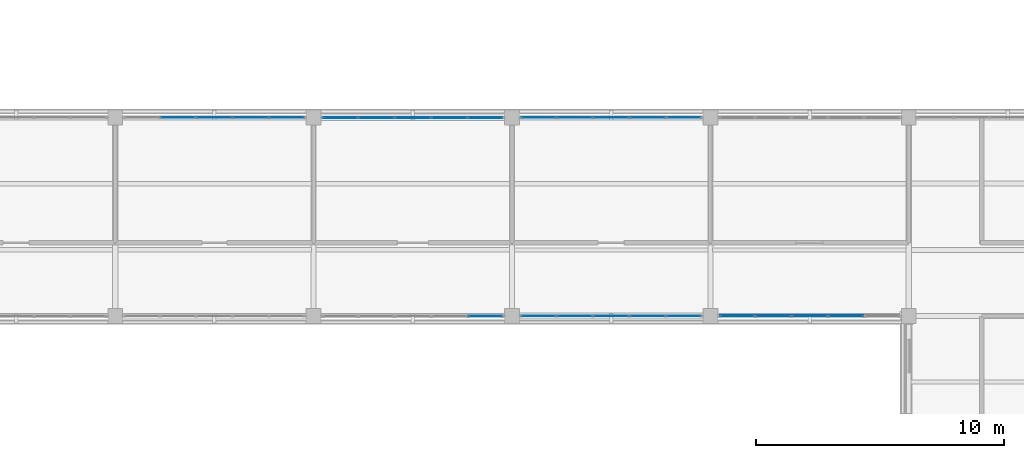
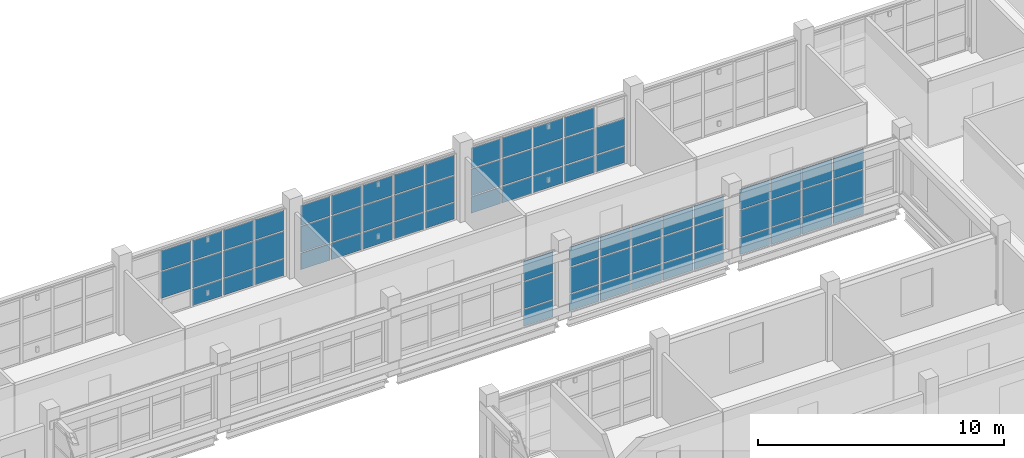
# One storey, part 79 of 126: 70 plates, 6 elements without a shape of their own.
"""IFC4 building model written with IfcOpenShell, lengths in metres."""

from ifc_helpers import new_model, si_unit, derived_unit, direction, frame, origin, origin_2d, place, context, subcontext, project, spatial, rectangle, extrude, material, layer, layer_set, type_object, element, aggregate, save


model = new_model("IFC4")

# Units and contexts
model_context = context("Model", 3, precision=1e-05, world=origin(), true_north=direction((0.0, 1.0)))
body_context = subcontext(model_context, "Body", "Model", "MODEL_VIEW")
ifc_project = project(units=[si_unit("LENGTHUNIT", "METRE"), si_unit("AREAUNIT", "SQUARE_METRE"), si_unit("VOLUMEUNIT", "CUBIC_METRE"), si_unit("PLANEANGLEUNIT", "RADIAN"), si_unit("MASSUNIT", "GRAM", prefix="KILO"), derived_unit("THERMALTRANSMITTANCEUNIT", [(si_unit("MASSUNIT", "GRAM", prefix="KILO"), 1), (si_unit("TIMEUNIT", "SECOND"), -3), (si_unit("THERMODYNAMICTEMPERATUREUNIT", "KELVIN"), -1)])], contexts=[model_context])

# Site, building, storey
site_placement = place(None, origin())
site = spatial("IfcSite", under=ifc_project, at=site_placement, CompositionType="ELEMENT")
building_placement = place(site_placement, origin())
building = spatial("IfcBuilding", under=site, at=building_placement, Name="Veyamyaing Civic Hall", CompositionType="ELEMENT")
storey_placement = place(building_placement, frame((0.0, 0.0, 9.89990234375)))
storey = spatial("IfcBuildingStorey", under=building, at=storey_placement, Name="L02", CompositionType="ELEMENT", Elevation=9.89990234375)

# Curtain wall, plates
ifc_material_1 = material(Name="Anodised aluminium 6063-T6", Category="aluminium")
ifc_layer_1 = layer(ifc_material_1, 0.139892578125, Name="Anodised aluminium 6063-T6")
ifc_layer_set_1 = layer_set([ifc_layer_1], Name="Anodised aluminium 6063-T6")
curtain_wall_type = type_object("IfcCurtainWallType", Name="CW-04", PredefinedType="NOTDEFINED", material=ifc_layer_set_1)
curtain_wall_1_placement = place(storey_placement, origin())
curtain_wall_1 = element("IfcCurtainWall", 1, at=curtain_wall_1_placement, inside=storey, type_object=curtain_wall_type, Name="Unitized curtain wall CW-04 L02 N 17.7", PredefinedType="NOTDEFINED")
ifc_material_2 = material(Name="Low-E insulated glass", Category="glass")
ifc_layer_2 = layer(ifc_material_2, 0.031982421875, Name="Low-E insulated glass")
ifc_layer_set_2 = layer_set([ifc_layer_2], Name="Low-E insulated glass")
plate_type_1 = type_object("IfcPlateType", Name="CWP-02", PredefinedType="CURTAIN_PANEL", material=ifc_layer_set_2)
plate_1_placement = place(storey_placement, frame((130.531982421875, 56.0, 0.93017578125), z_axis=(0.0, 0.0, 1.0), x_axis=(1.0, 0.0, 0.0)))
plate_1 = element("IfcPlate", 2, at=plate_1_placement, type_object=plate_type_1, Name="CW-04 panel 2.2", PredefinedType="CURTAIN_PANEL", context=body_context, shape_type="SweptSolid", body=[
    extrude(rectangle(XDim=1.407958984375, YDim=0.031982421875, at=origin_2d()), origin(), (0.0, 0.0, 1.0), 1.31396484375),
])
plate_2_placement = place(storey_placement, frame((130.531982421875, 56.0, 2.303955078125), z_axis=(0.0, 0.0, 1.0), x_axis=(1.0, 0.0, 0.0)))
plate_2 = element("IfcPlate", 3, at=plate_2_placement, type_object=plate_type_1, Name="CW-04 panel 2.3", PredefinedType="CURTAIN_PANEL", context=body_context, shape_type="SweptSolid", body=[
    extrude(rectangle(XDim=1.407958984375, YDim=0.031982421875, at=origin_2d()), origin(), (0.0, 0.0, 1.0), 0.97998046875),
])
plate_3_placement = place(storey_placement, frame((132.0, 56.0, 0.06005859375), z_axis=(0.0, 0.0, 1.0), x_axis=(1.0, 0.0, 0.0)))
plate_3 = element("IfcPlate", 4, at=plate_3_placement, type_object=plate_type_1, Name="CW-04 panel 3.1", PredefinedType="CURTAIN_PANEL", context=body_context, shape_type="SweptSolid", body=[
    extrude(rectangle(XDim=1.407958984375, YDim=0.031982421875, at=origin_2d()), origin(), (0.0, 0.0, 1.0), 0.81005859375),
])
plate_4_placement = place(storey_placement, frame((132.0, 56.0, 0.93017578125), z_axis=(0.0, 0.0, 1.0), x_axis=(1.0, 0.0, 0.0)))
plate_4 = element("IfcPlate", 5, at=plate_4_placement, type_object=plate_type_1, Name="CW-04 panel 3.2", PredefinedType="CURTAIN_PANEL", context=body_context, shape_type="SweptSolid", body=[
    extrude(rectangle(XDim=1.407958984375, YDim=0.031982421875, at=origin_2d()), origin(), (0.0, 0.0, 1.0), 1.31396484375),
])
plate_5_placement = place(storey_placement, frame((132.0, 56.0, 2.303955078125), z_axis=(0.0, 0.0, 1.0), x_axis=(1.0, 0.0, 0.0)))
plate_5 = element("IfcPlate", 6, at=plate_5_placement, type_object=plate_type_1, Name="CW-04 panel 3.3", PredefinedType="CURTAIN_PANEL", context=body_context, shape_type="SweptSolid", body=[
    extrude(rectangle(XDim=1.407958984375, YDim=0.031982421875, at=origin_2d()), origin(), (0.0, 0.0, 1.0), 0.97998046875),
])
plate_6_placement = place(storey_placement, frame((133.468017578125, 56.0, 0.06005859375), z_axis=(0.0, 0.0, 1.0), x_axis=(1.0, 0.0, 0.0)))
plate_6 = element("IfcPlate", 7, at=plate_6_placement, type_object=plate_type_1, Name="CW-04 panel 4.1", PredefinedType="CURTAIN_PANEL", context=body_context, shape_type="SweptSolid", body=[
    extrude(rectangle(XDim=1.407958984375, YDim=0.031982421875, at=origin_2d()), origin(), (0.0, 0.0, 1.0), 0.81005859375),
])
plate_7_placement = place(storey_placement, frame((133.468017578125, 56.0, 0.93017578125), z_axis=(0.0, 0.0, 1.0), x_axis=(1.0, 0.0, 0.0)))
plate_7 = element("IfcPlate", 8, at=plate_7_placement, type_object=plate_type_1, Name="CW-04 panel 4.2", PredefinedType="CURTAIN_PANEL", context=body_context, shape_type="SweptSolid", body=[
    extrude(rectangle(XDim=1.407958984375, YDim=0.031982421875, at=origin_2d()), origin(), (0.0, 0.0, 1.0), 1.31396484375),
])
plate_8_placement = place(storey_placement, frame((133.468017578125, 56.0, 2.303955078125), z_axis=(0.0, 0.0, 1.0), x_axis=(1.0, 0.0, 0.0)))
plate_8 = element("IfcPlate", 9, at=plate_8_placement, type_object=plate_type_1, Name="CW-04 panel 4.3", PredefinedType="CURTAIN_PANEL", context=body_context, shape_type="SweptSolid", body=[
    extrude(rectangle(XDim=1.407958984375, YDim=0.031982421875, at=origin_2d()), origin(), (0.0, 0.0, 1.0), 0.97998046875),
])
plate_9_placement = place(storey_placement, frame((134.9208984375, 56.0, 0.06005859375), z_axis=(0.0, 0.0, 1.0), x_axis=(1.0, 0.0, 0.0)))
plate_9 = element("IfcPlate", 10, at=plate_9_placement, type_object=plate_type_1, Name="CW-04 panel 5.1", PredefinedType="CURTAIN_PANEL", context=body_context, shape_type="SweptSolid", body=[
    extrude(rectangle(XDim=1.3779296875, YDim=0.031982421875, at=origin_2d()), origin(), (0.0, 0.0, 1.0), 0.81005859375),
])
plate_10_placement = place(storey_placement, frame((134.9208984375, 56.0, 0.93017578125), z_axis=(0.0, 0.0, 1.0), x_axis=(1.0, 0.0, 0.0)))
plate_10 = element("IfcPlate", 11, at=plate_10_placement, type_object=plate_type_1, Name="CW-04 panel 5.2", PredefinedType="CURTAIN_PANEL", context=body_context, shape_type="SweptSolid", body=[
    extrude(rectangle(XDim=1.3779296875, YDim=0.031982421875, at=origin_2d()), origin(), (0.0, 0.0, 1.0), 1.31396484375),
])
plate_11_placement = place(storey_placement, frame((134.9208984375, 56.0, 2.303955078125), z_axis=(0.0, 0.0, 1.0), x_axis=(1.0, 0.0, 0.0)))
plate_11 = element("IfcPlate", 12, at=plate_11_placement, type_object=plate_type_1, Name="CW-04 panel 5.3", PredefinedType="CURTAIN_PANEL", context=body_context, shape_type="SweptSolid", body=[
    extrude(rectangle(XDim=1.3779296875, YDim=0.031982421875, at=origin_2d()), origin(), (0.0, 0.0, 1.0), 0.97998046875),
])
aggregate(curtain_wall_1, [plate_1, plate_2, plate_3, plate_4, plate_5, plate_6, plate_7, plate_8, plate_9, plate_10, plate_11])

curtain_wall_2_placement = place(storey_placement, origin())
curtain_wall_2 = element("IfcCurtainWall", 13, at=curtain_wall_2_placement, inside=storey, type_object=curtain_wall_type, Name="Unitized curtain wall CW-04 L02 S 18.7", PredefinedType="NOTDEFINED")
ifc_layer_3 = layer(ifc_material_2, 0.035888671875, Name="Low-E insulated glass")
ifc_layer_set_3 = layer_set([ifc_layer_3], Name="Low-E insulated glass")
plate_type_2 = type_object("IfcPlateType", Name="CWP-03", PredefinedType="CURTAIN_PANEL", material=ifc_layer_set_3)
plate_12_placement = place(storey_placement, frame((142.9208984375, 48.0, 0.06005859375), z_axis=(0.0, 0.0, 1.0), x_axis=(1.0, 0.0, 0.0)))
plate_12 = element("IfcPlate", 14, at=plate_12_placement, type_object=plate_type_2, Name="CW-04 panel 5.1", PredefinedType="CURTAIN_PANEL", context=body_context, shape_type="SweptSolid", body=[
    extrude(rectangle(XDim=1.3779296875, YDim=0.035888671875, at=origin_2d()), origin(), (0.0, 0.0, 1.0), 0.81005859375),
])
plate_13_placement = place(storey_placement, frame((142.9208984375, 48.0, 0.93017578125), z_axis=(0.0, 0.0, 1.0), x_axis=(1.0, 0.0, 0.0)))
plate_13 = element("IfcPlate", 15, at=plate_13_placement, type_object=plate_type_2, Name="CW-04 panel 5.2", PredefinedType="CURTAIN_PANEL", context=body_context, shape_type="SweptSolid", body=[
    extrude(rectangle(XDim=1.3779296875, YDim=0.035888671875, at=origin_2d()), origin(), (0.0, 0.0, 1.0), 1.31396484375),
])
plate_14_placement = place(storey_placement, frame((142.9208984375, 48.0, 2.303955078125), z_axis=(0.0, 0.0, 1.0), x_axis=(1.0, 0.0, 0.0)))
plate_14 = element("IfcPlate", 16, at=plate_14_placement, type_object=plate_type_2, Name="CW-04 panel 5.3", PredefinedType="CURTAIN_PANEL", context=body_context, shape_type="SweptSolid", body=[
    extrude(rectangle(XDim=1.3779296875, YDim=0.035888671875, at=origin_2d()), origin(), (0.0, 0.0, 1.0), 0.97998046875),
])
aggregate(curtain_wall_2, [plate_12, plate_13, plate_14])

curtain_wall_3_placement = place(storey_placement, origin())
curtain_wall_3 = element("IfcCurtainWall", 17, at=curtain_wall_3_placement, inside=storey, type_object=curtain_wall_type, Name="Unitized curtain wall CW-04 L02 N 18.7", PredefinedType="NOTDEFINED")
plate_15_placement = place(storey_placement, frame((137.0791015625, 56.0, 0.06005859375), z_axis=(0.0, 0.0, 1.0), x_axis=(1.0, 0.0, 0.0)))
plate_15 = element("IfcPlate", 18, at=plate_15_placement, type_object=plate_type_2, Name="CW-04 panel 1.1", PredefinedType="CURTAIN_PANEL", context=body_context, shape_type="SweptSolid", body=[
    extrude(rectangle(XDim=1.3779296875, YDim=0.035888671875, at=origin_2d()), origin(), (0.0, 0.0, 1.0), 0.81005859375),
])
plate_16_placement = place(storey_placement, frame((137.0791015625, 56.0, 0.93017578125), z_axis=(0.0, 0.0, 1.0), x_axis=(1.0, 0.0, 0.0)))
plate_16 = element("IfcPlate", 19, at=plate_16_placement, type_object=plate_type_2, Name="CW-04 panel 1.2", PredefinedType="CURTAIN_PANEL", context=body_context, shape_type="SweptSolid", body=[
    extrude(rectangle(XDim=1.3779296875, YDim=0.035888671875, at=origin_2d()), origin(), (0.0, 0.0, 1.0), 1.273193359375),
])
plate_17_placement = place(storey_placement, frame((137.0791015625, 56.0, 2.26318359375), z_axis=(0.0, 0.0, 1.0), x_axis=(1.0, 0.0, 0.0)))
plate_17 = element("IfcPlate", 20, at=plate_17_placement, type_object=plate_type_2, Name="CW-04 panel 1.3", PredefinedType="CURTAIN_PANEL", context=body_context, shape_type="SweptSolid", body=[
    extrude(rectangle(XDim=1.3779296875, YDim=0.035888671875, at=origin_2d()), origin(), (0.0, 0.0, 1.0), 0.9609375),
])
plate_18_placement = place(storey_placement, frame((138.531982421875, 56.0, 0.06005859375), z_axis=(0.0, 0.0, 1.0), x_axis=(1.0, 0.0, 0.0)))
plate_18 = element("IfcPlate", 21, at=plate_18_placement, type_object=plate_type_2, Name="CW-04 panel 2.1", PredefinedType="CURTAIN_PANEL", context=body_context, shape_type="SweptSolid", body=[
    extrude(rectangle(XDim=1.407958984375, YDim=0.035888671875, at=origin_2d()), origin(), (0.0, 0.0, 1.0), 0.81005859375),
])
plate_19_placement = place(storey_placement, frame((138.531982421875, 56.0, 0.93017578125), z_axis=(0.0, 0.0, 1.0), x_axis=(1.0, 0.0, 0.0)))
plate_19 = element("IfcPlate", 22, at=plate_19_placement, type_object=plate_type_2, Name="CW-04 panel 2.2", PredefinedType="CURTAIN_PANEL", context=body_context, shape_type="SweptSolid", body=[
    extrude(rectangle(XDim=1.407958984375, YDim=0.035888671875, at=origin_2d()), origin(), (0.0, 0.0, 1.0), 1.273193359375),
])
plate_20_placement = place(storey_placement, frame((138.531982421875, 56.0, 2.26318359375), z_axis=(0.0, 0.0, 1.0), x_axis=(1.0, 0.0, 0.0)))
plate_20 = element("IfcPlate", 23, at=plate_20_placement, type_object=plate_type_2, Name="CW-04 panel 2.3", PredefinedType="CURTAIN_PANEL", context=body_context, shape_type="SweptSolid", body=[
    extrude(rectangle(XDim=1.407958984375, YDim=0.035888671875, at=origin_2d()), origin(), (0.0, 0.0, 1.0), 0.9609375),
])
plate_21_placement = place(storey_placement, frame((140.0, 56.0, 0.06005859375), z_axis=(0.0, 0.0, 1.0), x_axis=(1.0, 0.0, 0.0)))
plate_21 = element("IfcPlate", 24, at=plate_21_placement, type_object=plate_type_2, Name="CW-04 panel 3.1", PredefinedType="CURTAIN_PANEL", context=body_context, shape_type="SweptSolid", body=[
    extrude(rectangle(XDim=1.407958984375, YDim=0.035888671875, at=origin_2d()), origin(), (0.0, 0.0, 1.0), 0.81005859375),
])
plate_22_placement = place(storey_placement, frame((140.0, 56.0, 0.93017578125), z_axis=(0.0, 0.0, 1.0), x_axis=(1.0, 0.0, 0.0)))
plate_22 = element("IfcPlate", 25, at=plate_22_placement, type_object=plate_type_2, Name="CW-04 panel 3.2", PredefinedType="CURTAIN_PANEL", context=body_context, shape_type="SweptSolid", body=[
    extrude(rectangle(XDim=1.407958984375, YDim=0.035888671875, at=origin_2d()), origin(), (0.0, 0.0, 1.0), 1.273193359375),
])
plate_23_placement = place(storey_placement, frame((140.0, 56.0, 2.26318359375), z_axis=(0.0, 0.0, 1.0), x_axis=(1.0, 0.0, 0.0)))
plate_23 = element("IfcPlate", 26, at=plate_23_placement, type_object=plate_type_2, Name="CW-04 panel 3.3", PredefinedType="CURTAIN_PANEL", context=body_context, shape_type="SweptSolid", body=[
    extrude(rectangle(XDim=1.407958984375, YDim=0.035888671875, at=origin_2d()), origin(), (0.0, 0.0, 1.0), 0.9609375),
])
plate_24_placement = place(storey_placement, frame((141.468017578125, 56.0, 0.06005859375), z_axis=(0.0, 0.0, 1.0), x_axis=(1.0, 0.0, 0.0)))
plate_24 = element("IfcPlate", 27, at=plate_24_placement, type_object=plate_type_2, Name="CW-04 panel 4.1", PredefinedType="CURTAIN_PANEL", context=body_context, shape_type="SweptSolid", body=[
    extrude(rectangle(XDim=1.407958984375, YDim=0.035888671875, at=origin_2d()), origin(), (0.0, 0.0, 1.0), 0.81005859375),
])
plate_25_placement = place(storey_placement, frame((141.468017578125, 56.0, 0.93017578125), z_axis=(0.0, 0.0, 1.0), x_axis=(1.0, 0.0, 0.0)))
plate_25 = element("IfcPlate", 28, at=plate_25_placement, type_object=plate_type_2, Name="CW-04 panel 4.2", PredefinedType="CURTAIN_PANEL", context=body_context, shape_type="SweptSolid", body=[
    extrude(rectangle(XDim=1.407958984375, YDim=0.035888671875, at=origin_2d()), origin(), (0.0, 0.0, 1.0), 1.273193359375),
])
plate_26_placement = place(storey_placement, frame((141.468017578125, 56.0, 2.26318359375), z_axis=(0.0, 0.0, 1.0), x_axis=(1.0, 0.0, 0.0)))
plate_26 = element("IfcPlate", 29, at=plate_26_placement, type_object=plate_type_2, Name="CW-04 panel 4.3", PredefinedType="CURTAIN_PANEL", context=body_context, shape_type="SweptSolid", body=[
    extrude(rectangle(XDim=1.407958984375, YDim=0.035888671875, at=origin_2d()), origin(), (0.0, 0.0, 1.0), 0.9609375),
])
plate_27_placement = place(storey_placement, frame((142.9208984375, 56.0, 0.06005859375), z_axis=(0.0, 0.0, 1.0), x_axis=(1.0, 0.0, 0.0)))
plate_27 = element("IfcPlate", 30, at=plate_27_placement, type_object=plate_type_2, Name="CW-04 panel 5.1", PredefinedType="CURTAIN_PANEL", context=body_context, shape_type="SweptSolid", body=[
    extrude(rectangle(XDim=1.3779296875, YDim=0.035888671875, at=origin_2d()), origin(), (0.0, 0.0, 1.0), 0.81005859375),
])
plate_28_placement = place(storey_placement, frame((142.9208984375, 56.0, 0.93017578125), z_axis=(0.0, 0.0, 1.0), x_axis=(1.0, 0.0, 0.0)))
plate_28 = element("IfcPlate", 31, at=plate_28_placement, type_object=plate_type_2, Name="CW-04 panel 5.2", PredefinedType="CURTAIN_PANEL", context=body_context, shape_type="SweptSolid", body=[
    extrude(rectangle(XDim=1.3779296875, YDim=0.035888671875, at=origin_2d()), origin(), (0.0, 0.0, 1.0), 1.273193359375),
])
plate_29_placement = place(storey_placement, frame((142.9208984375, 56.0, 2.26318359375), z_axis=(0.0, 0.0, 1.0), x_axis=(1.0, 0.0, 0.0)))
plate_29 = element("IfcPlate", 32, at=plate_29_placement, type_object=plate_type_2, Name="CW-04 panel 5.3", PredefinedType="CURTAIN_PANEL", context=body_context, shape_type="SweptSolid", body=[
    extrude(rectangle(XDim=1.3779296875, YDim=0.035888671875, at=origin_2d()), origin(), (0.0, 0.0, 1.0), 0.9609375),
])
aggregate(curtain_wall_3, [plate_15, plate_16, plate_17, plate_18, plate_19, plate_20, plate_21, plate_22, plate_23, plate_24, plate_25, plate_26, plate_27, plate_28, plate_29])

curtain_wall_4_placement = place(storey_placement, origin())
curtain_wall_4 = element("IfcCurtainWall", 33, at=curtain_wall_4_placement, inside=storey, type_object=curtain_wall_type, Name="Unitized curtain wall CW-04 L02 S 19.7", PredefinedType="NOTDEFINED")
ifc_layer_4 = layer(ifc_material_2, 0.02392578125, Name="Low-E insulated glass")
ifc_layer_set_4 = layer_set([ifc_layer_4], Name="Low-E insulated glass")
plate_type_3 = type_object("IfcPlateType", Name="CWP-04", PredefinedType="CURTAIN_PANEL", material=ifc_layer_set_4)
plate_30_placement = place(storey_placement, frame((145.0791015625, 48.0, 0.06005859375), z_axis=(0.0, 0.0, 1.0), x_axis=(1.0, 0.0, 0.0)))
plate_30 = element("IfcPlate", 34, at=plate_30_placement, type_object=plate_type_3, Name="CW-04 panel 1.1", PredefinedType="CURTAIN_PANEL", context=body_context, shape_type="SweptSolid", body=[
    extrude(rectangle(XDim=1.3779296875, YDim=0.02392578125, at=origin_2d()), origin(), (0.0, 0.0, 1.0), 0.81005859375),
])
plate_31_placement = place(storey_placement, frame((145.0791015625, 48.0, 0.93017578125), z_axis=(0.0, 0.0, 1.0), x_axis=(1.0, 0.0, 0.0)))
plate_31 = element("IfcPlate", 35, at=plate_31_placement, type_object=plate_type_3, Name="CW-04 panel 1.2", PredefinedType="CURTAIN_PANEL", context=body_context, shape_type="SweptSolid", body=[
    extrude(rectangle(XDim=1.3779296875, YDim=0.02392578125, at=origin_2d()), origin(), (0.0, 0.0, 1.0), 1.273193359375),
])
plate_32_placement = place(storey_placement, frame((145.0791015625, 48.0, 2.26318359375), z_axis=(0.0, 0.0, 1.0), x_axis=(1.0, 0.0, 0.0)))
plate_32 = element("IfcPlate", 36, at=plate_32_placement, type_object=plate_type_3, Name="CW-04 panel 1.3", PredefinedType="CURTAIN_PANEL", context=body_context, shape_type="SweptSolid", body=[
    extrude(rectangle(XDim=1.3779296875, YDim=0.02392578125, at=origin_2d()), origin(), (0.0, 0.0, 1.0), 0.9609375),
])
plate_33_placement = place(storey_placement, frame((146.531982421875, 48.0, 0.06005859375), z_axis=(0.0, 0.0, 1.0), x_axis=(1.0, 0.0, 0.0)))
plate_33 = element("IfcPlate", 37, at=plate_33_placement, type_object=plate_type_3, Name="CW-04 panel 2.1", PredefinedType="CURTAIN_PANEL", context=body_context, shape_type="SweptSolid", body=[
    extrude(rectangle(XDim=1.407958984375, YDim=0.02392578125, at=origin_2d()), origin(), (0.0, 0.0, 1.0), 0.81005859375),
])
plate_34_placement = place(storey_placement, frame((146.531982421875, 48.0, 0.93017578125), z_axis=(0.0, 0.0, 1.0), x_axis=(1.0, 0.0, 0.0)))
plate_34 = element("IfcPlate", 38, at=plate_34_placement, type_object=plate_type_3, Name="CW-04 panel 2.2", PredefinedType="CURTAIN_PANEL", context=body_context, shape_type="SweptSolid", body=[
    extrude(rectangle(XDim=1.407958984375, YDim=0.02392578125, at=origin_2d()), origin(), (0.0, 0.0, 1.0), 1.273193359375),
])
plate_35_placement = place(storey_placement, frame((146.531982421875, 48.0, 2.26318359375), z_axis=(0.0, 0.0, 1.0), x_axis=(1.0, 0.0, 0.0)))
plate_35 = element("IfcPlate", 39, at=plate_35_placement, type_object=plate_type_3, Name="CW-04 panel 2.3", PredefinedType="CURTAIN_PANEL", context=body_context, shape_type="SweptSolid", body=[
    extrude(rectangle(XDim=1.407958984375, YDim=0.02392578125, at=origin_2d()), origin(), (0.0, 0.0, 1.0), 0.9609375),
])
plate_36_placement = place(storey_placement, frame((148.0, 48.0, 0.06005859375), z_axis=(0.0, 0.0, 1.0), x_axis=(1.0, 0.0, 0.0)))
plate_36 = element("IfcPlate", 40, at=plate_36_placement, type_object=plate_type_3, Name="CW-04 panel 3.1", PredefinedType="CURTAIN_PANEL", context=body_context, shape_type="SweptSolid", body=[
    extrude(rectangle(XDim=1.407958984375, YDim=0.02392578125, at=origin_2d()), origin(), (0.0, 0.0, 1.0), 0.81005859375),
])
plate_37_placement = place(storey_placement, frame((148.0, 48.0, 0.93017578125), z_axis=(0.0, 0.0, 1.0), x_axis=(1.0, 0.0, 0.0)))
plate_37 = element("IfcPlate", 41, at=plate_37_placement, type_object=plate_type_3, Name="CW-04 panel 3.2", PredefinedType="CURTAIN_PANEL", context=body_context, shape_type="SweptSolid", body=[
    extrude(rectangle(XDim=1.407958984375, YDim=0.02392578125, at=origin_2d()), origin(), (0.0, 0.0, 1.0), 1.273193359375),
])
plate_38_placement = place(storey_placement, frame((148.0, 48.0, 2.26318359375), z_axis=(0.0, 0.0, 1.0), x_axis=(1.0, 0.0, 0.0)))
plate_38 = element("IfcPlate", 42, at=plate_38_placement, type_object=plate_type_3, Name="CW-04 panel 3.3", PredefinedType="CURTAIN_PANEL", context=body_context, shape_type="SweptSolid", body=[
    extrude(rectangle(XDim=1.407958984375, YDim=0.02392578125, at=origin_2d()), origin(), (0.0, 0.0, 1.0), 0.9609375),
])
plate_39_placement = place(storey_placement, frame((149.468017578125, 48.0, 0.06005859375), z_axis=(0.0, 0.0, 1.0), x_axis=(1.0, 0.0, 0.0)))
plate_39 = element("IfcPlate", 43, at=plate_39_placement, type_object=plate_type_3, Name="CW-04 panel 4.1", PredefinedType="CURTAIN_PANEL", context=body_context, shape_type="SweptSolid", body=[
    extrude(rectangle(XDim=1.407958984375, YDim=0.02392578125, at=origin_2d()), origin(), (0.0, 0.0, 1.0), 0.81005859375),
])
plate_40_placement = place(storey_placement, frame((149.468017578125, 48.0, 0.93017578125), z_axis=(0.0, 0.0, 1.0), x_axis=(1.0, 0.0, 0.0)))
plate_40 = element("IfcPlate", 44, at=plate_40_placement, type_object=plate_type_3, Name="CW-04 panel 4.2", PredefinedType="CURTAIN_PANEL", context=body_context, shape_type="SweptSolid", body=[
    extrude(rectangle(XDim=1.407958984375, YDim=0.02392578125, at=origin_2d()), origin(), (0.0, 0.0, 1.0), 1.273193359375),
])
plate_41_placement = place(storey_placement, frame((149.468017578125, 48.0, 2.26318359375), z_axis=(0.0, 0.0, 1.0), x_axis=(1.0, 0.0, 0.0)))
plate_41 = element("IfcPlate", 45, at=plate_41_placement, type_object=plate_type_3, Name="CW-04 panel 4.3", PredefinedType="CURTAIN_PANEL", context=body_context, shape_type="SweptSolid", body=[
    extrude(rectangle(XDim=1.407958984375, YDim=0.02392578125, at=origin_2d()), origin(), (0.0, 0.0, 1.0), 0.9609375),
])
plate_42_placement = place(storey_placement, frame((150.9208984375, 48.0, 0.06005859375), z_axis=(0.0, 0.0, 1.0), x_axis=(1.0, 0.0, 0.0)))
plate_42 = element("IfcPlate", 46, at=plate_42_placement, type_object=plate_type_3, Name="CW-04 panel 5.1", PredefinedType="CURTAIN_PANEL", context=body_context, shape_type="SweptSolid", body=[
    extrude(rectangle(XDim=1.3779296875, YDim=0.02392578125, at=origin_2d()), origin(), (0.0, 0.0, 1.0), 0.81005859375),
])
plate_43_placement = place(storey_placement, frame((150.9208984375, 48.0, 0.93017578125), z_axis=(0.0, 0.0, 1.0), x_axis=(1.0, 0.0, 0.0)))
plate_43 = element("IfcPlate", 47, at=plate_43_placement, type_object=plate_type_3, Name="CW-04 panel 5.2", PredefinedType="CURTAIN_PANEL", context=body_context, shape_type="SweptSolid", body=[
    extrude(rectangle(XDim=1.3779296875, YDim=0.02392578125, at=origin_2d()), origin(), (0.0, 0.0, 1.0), 1.273193359375),
])
plate_44_placement = place(storey_placement, frame((150.9208984375, 48.0, 2.26318359375), z_axis=(0.0, 0.0, 1.0), x_axis=(1.0, 0.0, 0.0)))
plate_44 = element("IfcPlate", 48, at=plate_44_placement, type_object=plate_type_3, Name="CW-04 panel 5.3", PredefinedType="CURTAIN_PANEL", context=body_context, shape_type="SweptSolid", body=[
    extrude(rectangle(XDim=1.3779296875, YDim=0.02392578125, at=origin_2d()), origin(), (0.0, 0.0, 1.0), 0.9609375),
])
aggregate(curtain_wall_4, [plate_30, plate_31, plate_32, plate_33, plate_34, plate_35, plate_36, plate_37, plate_38, plate_39, plate_40, plate_41, plate_42, plate_43, plate_44])

curtain_wall_5_placement = place(storey_placement, origin())
curtain_wall_5 = element("IfcCurtainWall", 49, at=curtain_wall_5_placement, inside=storey, type_object=curtain_wall_type, Name="Unitized curtain wall CW-04 L02 N 19.7", PredefinedType="NOTDEFINED")
plate_45_placement = place(storey_placement, frame((145.0791015625, 56.0, 0.06005859375), z_axis=(0.0, 0.0, 1.0), x_axis=(1.0, 0.0, 0.0)))
plate_45 = element("IfcPlate", 50, at=plate_45_placement, type_object=plate_type_3, Name="CW-04 panel 1.1", PredefinedType="CURTAIN_PANEL", context=body_context, shape_type="SweptSolid", body=[
    extrude(rectangle(XDim=1.3779296875, YDim=0.02392578125, at=origin_2d()), origin(), (0.0, 0.0, 1.0), 0.81005859375),
])
plate_46_placement = place(storey_placement, frame((145.0791015625, 56.0, 0.93017578125), z_axis=(0.0, 0.0, 1.0), x_axis=(1.0, 0.0, 0.0)))
plate_46 = element("IfcPlate", 51, at=plate_46_placement, type_object=plate_type_3, Name="CW-04 panel 1.2", PredefinedType="CURTAIN_PANEL", context=body_context, shape_type="SweptSolid", body=[
    extrude(rectangle(XDim=1.3779296875, YDim=0.02392578125, at=origin_2d()), origin(), (0.0, 0.0, 1.0), 1.31591796875),
])
plate_47_placement = place(storey_placement, frame((145.0791015625, 56.0, 2.30615234375), z_axis=(0.0, 0.0, 1.0), x_axis=(1.0, 0.0, 0.0)))
plate_47 = element("IfcPlate", 52, at=plate_47_placement, type_object=plate_type_3, Name="CW-04 panel 1.3", PredefinedType="CURTAIN_PANEL", context=body_context, shape_type="SweptSolid", body=[
    extrude(rectangle(XDim=1.3779296875, YDim=0.02392578125, at=origin_2d()), origin(), (0.0, 0.0, 1.0), 0.98095703125),
])
plate_48_placement = place(storey_placement, frame((146.531982421875, 56.0, 0.06005859375), z_axis=(0.0, 0.0, 1.0), x_axis=(1.0, 0.0, 0.0)))
plate_48 = element("IfcPlate", 53, at=plate_48_placement, type_object=plate_type_3, Name="CW-04 panel 2.1", PredefinedType="CURTAIN_PANEL", context=body_context, shape_type="SweptSolid", body=[
    extrude(rectangle(XDim=1.407958984375, YDim=0.02392578125, at=origin_2d()), origin(), (0.0, 0.0, 1.0), 0.81005859375),
])
plate_49_placement = place(storey_placement, frame((146.531982421875, 56.0, 0.93017578125), z_axis=(0.0, 0.0, 1.0), x_axis=(1.0, 0.0, 0.0)))
plate_49 = element("IfcPlate", 54, at=plate_49_placement, type_object=plate_type_3, Name="CW-04 panel 2.2", PredefinedType="CURTAIN_PANEL", context=body_context, shape_type="SweptSolid", body=[
    extrude(rectangle(XDim=1.407958984375, YDim=0.02392578125, at=origin_2d()), origin(), (0.0, 0.0, 1.0), 1.31591796875),
])
plate_50_placement = place(storey_placement, frame((146.531982421875, 56.0, 2.30615234375), z_axis=(0.0, 0.0, 1.0), x_axis=(1.0, 0.0, 0.0)))
plate_50 = element("IfcPlate", 55, at=plate_50_placement, type_object=plate_type_3, Name="CW-04 panel 2.3", PredefinedType="CURTAIN_PANEL", context=body_context, shape_type="SweptSolid", body=[
    extrude(rectangle(XDim=1.407958984375, YDim=0.02392578125, at=origin_2d()), origin(), (0.0, 0.0, 1.0), 0.98095703125),
])
plate_51_placement = place(storey_placement, frame((148.0, 56.0, 0.06005859375), z_axis=(0.0, 0.0, 1.0), x_axis=(1.0, 0.0, 0.0)))
plate_51 = element("IfcPlate", 56, at=plate_51_placement, type_object=plate_type_3, Name="CW-04 panel 3.1", PredefinedType="CURTAIN_PANEL", context=body_context, shape_type="SweptSolid", body=[
    extrude(rectangle(XDim=1.407958984375, YDim=0.02392578125, at=origin_2d()), origin(), (0.0, 0.0, 1.0), 0.81005859375),
])
plate_52_placement = place(storey_placement, frame((148.0, 56.0, 0.93017578125), z_axis=(0.0, 0.0, 1.0), x_axis=(1.0, 0.0, 0.0)))
plate_52 = element("IfcPlate", 57, at=plate_52_placement, type_object=plate_type_3, Name="CW-04 panel 3.2", PredefinedType="CURTAIN_PANEL", context=body_context, shape_type="SweptSolid", body=[
    extrude(rectangle(XDim=1.407958984375, YDim=0.02392578125, at=origin_2d()), origin(), (0.0, 0.0, 1.0), 1.31591796875),
])
plate_53_placement = place(storey_placement, frame((148.0, 56.0, 2.30615234375), z_axis=(0.0, 0.0, 1.0), x_axis=(1.0, 0.0, 0.0)))
plate_53 = element("IfcPlate", 58, at=plate_53_placement, type_object=plate_type_3, Name="CW-04 panel 3.3", PredefinedType="CURTAIN_PANEL", context=body_context, shape_type="SweptSolid", body=[
    extrude(rectangle(XDim=1.407958984375, YDim=0.02392578125, at=origin_2d()), origin(), (0.0, 0.0, 1.0), 0.98095703125),
])
plate_54_placement = place(storey_placement, frame((149.468017578125, 56.0, 0.06005859375), z_axis=(0.0, 0.0, 1.0), x_axis=(1.0, 0.0, 0.0)))
plate_54 = element("IfcPlate", 59, at=plate_54_placement, type_object=plate_type_3, Name="CW-04 panel 4.1", PredefinedType="CURTAIN_PANEL", context=body_context, shape_type="SweptSolid", body=[
    extrude(rectangle(XDim=1.407958984375, YDim=0.02392578125, at=origin_2d()), origin(), (0.0, 0.0, 1.0), 0.81005859375),
])
plate_55_placement = place(storey_placement, frame((149.468017578125, 56.0, 0.93017578125), z_axis=(0.0, 0.0, 1.0), x_axis=(1.0, 0.0, 0.0)))
plate_55 = element("IfcPlate", 60, at=plate_55_placement, type_object=plate_type_3, Name="CW-04 panel 4.2", PredefinedType="CURTAIN_PANEL", context=body_context, shape_type="SweptSolid", body=[
    extrude(rectangle(XDim=1.407958984375, YDim=0.02392578125, at=origin_2d()), origin(), (0.0, 0.0, 1.0), 1.31591796875),
])
plate_56_placement = place(storey_placement, frame((149.468017578125, 56.0, 2.30615234375), z_axis=(0.0, 0.0, 1.0), x_axis=(1.0, 0.0, 0.0)))
plate_56 = element("IfcPlate", 61, at=plate_56_placement, type_object=plate_type_3, Name="CW-04 panel 4.3", PredefinedType="CURTAIN_PANEL", context=body_context, shape_type="SweptSolid", body=[
    extrude(rectangle(XDim=1.407958984375, YDim=0.02392578125, at=origin_2d()), origin(), (0.0, 0.0, 1.0), 0.98095703125),
])
plate_57_placement = place(storey_placement, frame((150.9208984375, 56.0, 0.06005859375), z_axis=(0.0, 0.0, 1.0), x_axis=(1.0, 0.0, 0.0)))
plate_57 = element("IfcPlate", 62, at=plate_57_placement, type_object=plate_type_3, Name="CW-04 panel 5.1", PredefinedType="CURTAIN_PANEL", context=body_context, shape_type="SweptSolid", body=[
    extrude(rectangle(XDim=1.3779296875, YDim=0.02392578125, at=origin_2d()), origin(), (0.0, 0.0, 1.0), 0.81005859375),
])
plate_58_placement = place(storey_placement, frame((150.9208984375, 56.0, 0.93017578125), z_axis=(0.0, 0.0, 1.0), x_axis=(1.0, 0.0, 0.0)))
plate_58 = element("IfcPlate", 63, at=plate_58_placement, type_object=plate_type_3, Name="CW-04 panel 5.2", PredefinedType="CURTAIN_PANEL", context=body_context, shape_type="SweptSolid", body=[
    extrude(rectangle(XDim=1.3779296875, YDim=0.02392578125, at=origin_2d()), origin(), (0.0, 0.0, 1.0), 1.31591796875),
])
aggregate(curtain_wall_5, [plate_45, plate_46, plate_47, plate_48, plate_49, plate_50, plate_51, plate_52, plate_53, plate_54, plate_55, plate_56, plate_57, plate_58])

curtain_wall_6_placement = place(storey_placement, origin())
curtain_wall_6 = element("IfcCurtainWall", 64, at=curtain_wall_6_placement, inside=storey, type_object=curtain_wall_type, Name="Unitized curtain wall CW-04 L02 S 20.7", PredefinedType="NOTDEFINED")
ifc_layer_5 = layer(ifc_material_2, 0.0400390625, Name="Low-E insulated glass")
ifc_layer_set_5 = layer_set([ifc_layer_5], Name="Low-E insulated glass")
plate_type_4 = type_object("IfcPlateType", Name="CWP-05", PredefinedType="CURTAIN_PANEL", material=ifc_layer_set_5)
plate_59_placement = place(storey_placement, frame((153.0791015625, 48.0, 0.06005859375), z_axis=(0.0, 0.0, 1.0), x_axis=(1.0, 0.0, 0.0)))
plate_59 = element("IfcPlate", 65, at=plate_59_placement, type_object=plate_type_4, Name="CW-04 panel 1.1", PredefinedType="CURTAIN_PANEL", context=body_context, shape_type="SweptSolid", body=[
    extrude(rectangle(XDim=1.3779296875, YDim=0.0400390625, at=origin_2d()), origin(), (0.0, 0.0, 1.0), 0.81005859375),
])
plate_60_placement = place(storey_placement, frame((153.0791015625, 48.0, 0.93017578125), z_axis=(0.0, 0.0, 1.0), x_axis=(1.0, 0.0, 0.0)))
plate_60 = element("IfcPlate", 66, at=plate_60_placement, type_object=plate_type_4, Name="CW-04 panel 1.2", PredefinedType="CURTAIN_PANEL", context=body_context, shape_type="SweptSolid", body=[
    extrude(rectangle(XDim=1.3779296875, YDim=0.0400390625, at=origin_2d()), origin(), (0.0, 0.0, 1.0), 1.31591796875),
])
plate_61_placement = place(storey_placement, frame((153.0791015625, 48.0, 2.30615234375), z_axis=(0.0, 0.0, 1.0), x_axis=(1.0, 0.0, 0.0)))
plate_61 = element("IfcPlate", 67, at=plate_61_placement, type_object=plate_type_4, Name="CW-04 panel 1.3", PredefinedType="CURTAIN_PANEL", context=body_context, shape_type="SweptSolid", body=[
    extrude(rectangle(XDim=1.3779296875, YDim=0.0400390625, at=origin_2d()), origin(), (0.0, 0.0, 1.0), 0.98095703125),
])
plate_62_placement = place(storey_placement, frame((154.531982421875, 48.0, 0.06005859375), z_axis=(0.0, 0.0, 1.0), x_axis=(1.0, 0.0, 0.0)))
plate_62 = element("IfcPlate", 68, at=plate_62_placement, type_object=plate_type_4, Name="CW-04 panel 2.1", PredefinedType="CURTAIN_PANEL", context=body_context, shape_type="SweptSolid", body=[
    extrude(rectangle(XDim=1.407958984375, YDim=0.0400390625, at=origin_2d()), origin(), (0.0, 0.0, 1.0), 0.81005859375),
])
plate_63_placement = place(storey_placement, frame((154.531982421875, 48.0, 0.93017578125), z_axis=(0.0, 0.0, 1.0), x_axis=(1.0, 0.0, 0.0)))
plate_63 = element("IfcPlate", 69, at=plate_63_placement, type_object=plate_type_4, Name="CW-04 panel 2.2", PredefinedType="CURTAIN_PANEL", context=body_context, shape_type="SweptSolid", body=[
    extrude(rectangle(XDim=1.407958984375, YDim=0.0400390625, at=origin_2d()), origin(), (0.0, 0.0, 1.0), 1.31591796875),
])
plate_64_placement = place(storey_placement, frame((154.531982421875, 48.0, 2.30615234375), z_axis=(0.0, 0.0, 1.0), x_axis=(1.0, 0.0, 0.0)))
plate_64 = element("IfcPlate", 70, at=plate_64_placement, type_object=plate_type_4, Name="CW-04 panel 2.3", PredefinedType="CURTAIN_PANEL", context=body_context, shape_type="SweptSolid", body=[
    extrude(rectangle(XDim=1.407958984375, YDim=0.0400390625, at=origin_2d()), origin(), (0.0, 0.0, 1.0), 0.98095703125),
])
plate_65_placement = place(storey_placement, frame((156.0, 48.0, 0.06005859375), z_axis=(0.0, 0.0, 1.0), x_axis=(1.0, 0.0, 0.0)))
plate_65 = element("IfcPlate", 71, at=plate_65_placement, type_object=plate_type_4, Name="CW-04 panel 3.1", PredefinedType="CURTAIN_PANEL", context=body_context, shape_type="SweptSolid", body=[
    extrude(rectangle(XDim=1.407958984375, YDim=0.0400390625, at=origin_2d()), origin(), (0.0, 0.0, 1.0), 0.81005859375),
])
plate_66_placement = place(storey_placement, frame((156.0, 48.0, 0.93017578125), z_axis=(0.0, 0.0, 1.0), x_axis=(1.0, 0.0, 0.0)))
plate_66 = element("IfcPlate", 72, at=plate_66_placement, type_object=plate_type_4, Name="CW-04 panel 3.2", PredefinedType="CURTAIN_PANEL", context=body_context, shape_type="SweptSolid", body=[
    extrude(rectangle(XDim=1.407958984375, YDim=0.0400390625, at=origin_2d()), origin(), (0.0, 0.0, 1.0), 1.31591796875),
])
plate_67_placement = place(storey_placement, frame((156.0, 48.0, 2.30615234375), z_axis=(0.0, 0.0, 1.0), x_axis=(1.0, 0.0, 0.0)))
plate_67 = element("IfcPlate", 73, at=plate_67_placement, type_object=plate_type_4, Name="CW-04 panel 3.3", PredefinedType="CURTAIN_PANEL", context=body_context, shape_type="SweptSolid", body=[
    extrude(rectangle(XDim=1.407958984375, YDim=0.0400390625, at=origin_2d()), origin(), (0.0, 0.0, 1.0), 0.98095703125),
])
plate_68_placement = place(storey_placement, frame((157.468017578125, 48.0, 0.06005859375), z_axis=(0.0, 0.0, 1.0), x_axis=(1.0, 0.0, 0.0)))
plate_68 = element("IfcPlate", 74, at=plate_68_placement, type_object=plate_type_4, Name="CW-04 panel 4.1", PredefinedType="CURTAIN_PANEL", context=body_context, shape_type="SweptSolid", body=[
    extrude(rectangle(XDim=1.407958984375, YDim=0.0400390625, at=origin_2d()), origin(), (0.0, 0.0, 1.0), 0.81005859375),
])
plate_69_placement = place(storey_placement, frame((157.468017578125, 48.0, 0.93017578125), z_axis=(0.0, 0.0, 1.0), x_axis=(1.0, 0.0, 0.0)))
plate_69 = element("IfcPlate", 75, at=plate_69_placement, type_object=plate_type_4, Name="CW-04 panel 4.2", PredefinedType="CURTAIN_PANEL", context=body_context, shape_type="SweptSolid", body=[
    extrude(rectangle(XDim=1.407958984375, YDim=0.0400390625, at=origin_2d()), origin(), (0.0, 0.0, 1.0), 1.31591796875),
])
plate_70_placement = place(storey_placement, frame((157.468017578125, 48.0, 2.30615234375), z_axis=(0.0, 0.0, 1.0), x_axis=(1.0, 0.0, 0.0)))
plate_70 = element("IfcPlate", 76, at=plate_70_placement, type_object=plate_type_4, Name="CW-04 panel 4.3", PredefinedType="CURTAIN_PANEL", context=body_context, shape_type="SweptSolid", body=[
    extrude(rectangle(XDim=1.407958984375, YDim=0.0400390625, at=origin_2d()), origin(), (0.0, 0.0, 1.0), 0.98095703125),
])
aggregate(curtain_wall_6, [plate_59, plate_60, plate_61, plate_62, plate_63, plate_64, plate_65, plate_66, plate_67, plate_68, plate_69, plate_70])

save(model, "model.ifc")
